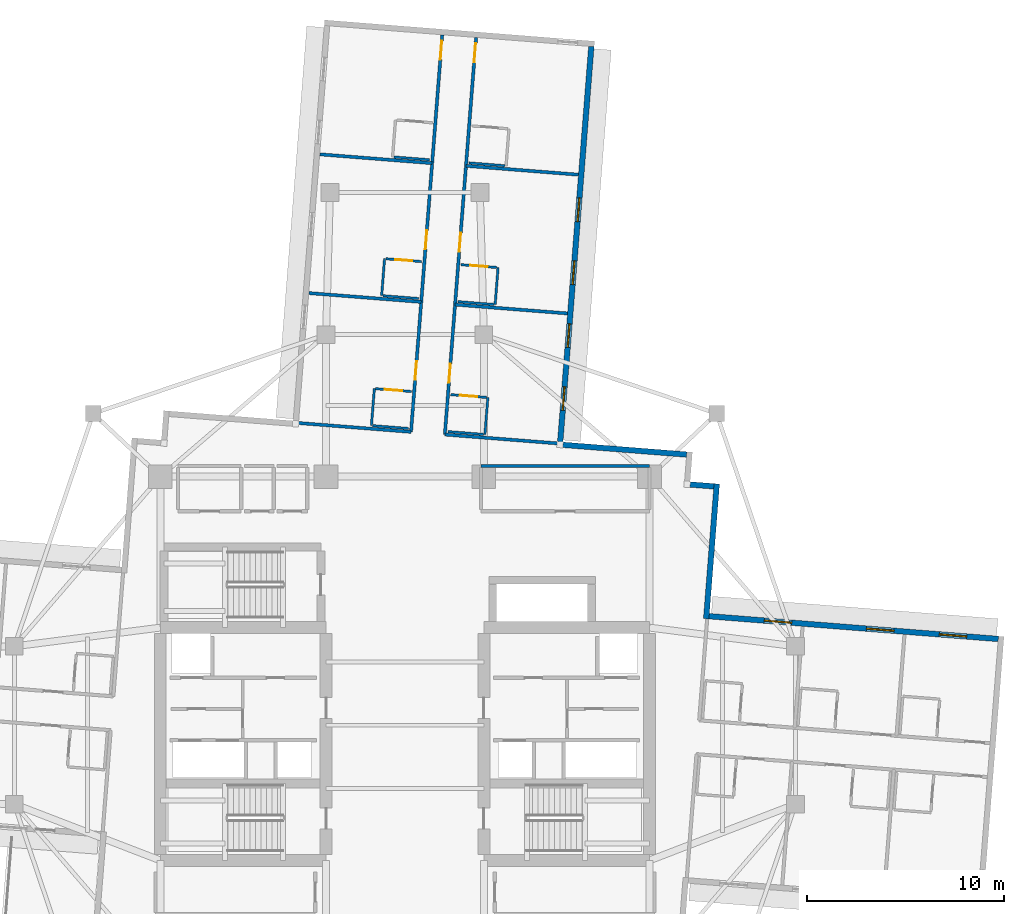
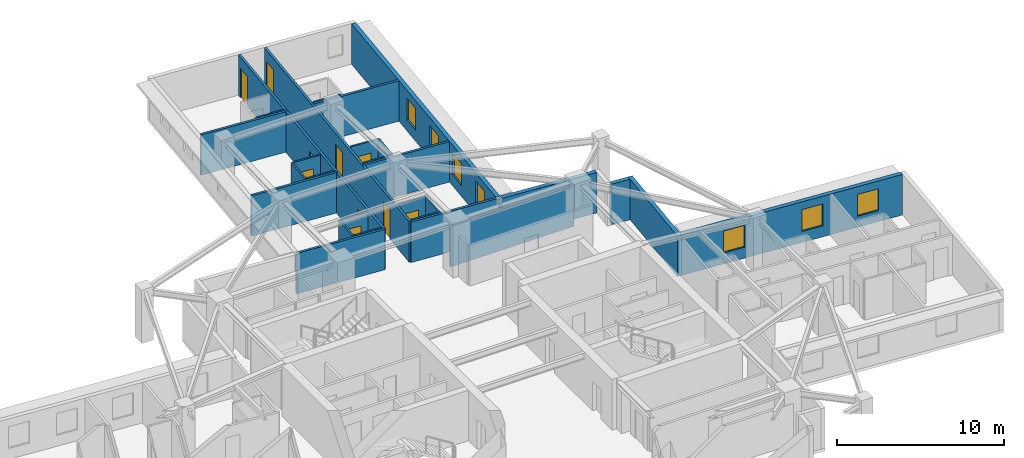
# One storey, part 8 of 14: 28 walls, 10 doors, 7 windows, 17 openings.
"""IFC4 building model written with IfcOpenShell, lengths in metres."""

from ifc_helpers import new_model, si_unit, direction, frame, frame_2d, origin, place, context, subcontext, project, spatial, rectangle, extrude, material, layer, layer_set, type_object, element, fill, save


model = new_model("IFC4")

# Units and contexts
model_context = context("Model", 3, precision=1e-05, world=origin(), true_north=direction((0.0, 1.0)))
body_context = subcontext(model_context, "Body", "Model", "MODEL_VIEW")
ifc_project = project(units=[si_unit("LENGTHUNIT", "METRE"), si_unit("AREAUNIT", "SQUARE_METRE"), si_unit("VOLUMEUNIT", "CUBIC_METRE"), si_unit("PLANEANGLEUNIT", "RADIAN"), si_unit("MASSUNIT", "GRAM", prefix="KILO")], contexts=[model_context])

# Site, building, storey
site_placement = place(None, origin())
site = spatial("IfcSite", under=ifc_project, at=site_placement, CompositionType="ELEMENT")
building_placement = place(site_placement, origin())
building = spatial("IfcBuilding", under=site, at=building_placement, Name="Qingluan Cross Belvedere", CompositionType="ELEMENT")
storey_placement = place(building_placement, frame((0.0, 0.0, 164.39990234375)))
storey = spatial("IfcBuildingStorey", under=building, at=storey_placement, Name="L41", CompositionType="ELEMENT", Elevation=164.39990234375)

# Wall
ifc_material_1 = material(Name="Gypsum plasterboard on steel stud acoustic partition", Category="steel")
ifc_layer_1 = layer(ifc_material_1, 0.159912109375, Name="CorridorPartition_160")
ifc_layer_set_1 = layer_set([ifc_layer_1], Name="Gypsum plasterboard on steel stud acoustic partition")
wall_type_1 = type_object("IfcWallType", Name="CorridorPartition_160", PredefinedType="PARTITIONING", material=ifc_layer_set_1)
wall_1_placement = place(storey_placement, frame((3.85009765625, 13.14990234375, 0.0), z_axis=(0.0, 0.0, 1.0), x_axis=(1.0, 0.0, 0.0)))
element("IfcWall", 1, at=wall_1_placement, inside=storey, type_object=wall_type_1, Name="Partition L41:q_ne:N", PredefinedType="PARTITIONING", context=body_context, shape_type="SweptSolid", body=[
    extrude(rectangle(XDim=8.5498046875, YDim=0.159912109375, at=frame_2d((4.27490234375, 0.0))), origin(), (0.0, 0.0, 1.0), 2.960205078125),
])

# Wall, openings, doors
wall_2_placement = place(storey_placement, frame((2.0224609375, 14.73681640625, 0.0), z_axis=(0.0, 0.0, 1.0), x_axis=(0.078461408156, 0.996917151738, 0.0)))
wall_2 = element("IfcWall", 2, at=wall_2_placement, inside=storey, type_object=wall_type_1, Name="Partition L41:N:c0", PredefinedType="PARTITIONING", context=body_context, shape_type="SweptSolid", body=[
    extrude(rectangle(XDim=20.181884765625, YDim=0.159912109375, at=frame_2d((10.0908203125, 0.0))), origin(), (0.0, 0.0, 1.0), 2.960205078125),
])
opening_1_placement = place(wall_2_placement, frame((2.64111328125, 0.0, 0.0)))
opening_1 = element("IfcOpeningElement", 3, at=opening_1_placement, cuts=wall_2, Name="Opening GD-10", PredefinedType="OPENING", context=body_context, shape_type="SweptSolid", body=[
    extrude(rectangle(XDim=0.9599609375, YDim=2.14990234375, at=frame_2d((0.47998046875, 1.074951171875))), frame((0.0, 0.08984375, 0.0), z_axis=(0.0, -1.0, 0.0), x_axis=(1.0, 0.0, 0.0)), (0.0, 0.0, 1.0), 0.179931640625),
])
opening_2_placement = place(wall_2_placement, frame((9.29296875, 0.0, 0.0)))
opening_2 = element("IfcOpeningElement", 4, at=opening_2_placement, cuts=wall_2, Name="Opening GD-10", PredefinedType="OPENING", context=body_context, shape_type="SweptSolid", body=[
    extrude(rectangle(XDim=0.9599609375, YDim=2.14990234375, at=frame_2d((0.47998046875, 1.074951171875))), frame((0.0, 0.08984375, 0.0), z_axis=(0.0, -1.0, 0.0), x_axis=(1.0, 0.0, 0.0)), (0.0, 0.0, 1.0), 0.179931640625),
])
opening_3_placement = place(wall_2_placement, frame((18.929931640625, 0.0, 0.0)))
opening_3 = element("IfcOpeningElement", 5, at=opening_3_placement, cuts=wall_2, Name="Opening GD-10", PredefinedType="OPENING", context=body_context, shape_type="SweptSolid", body=[
    extrude(rectangle(XDim=0.9599609375, YDim=2.14990234375, at=frame_2d((0.47998046875, 1.074951171875))), frame((0.0, 0.08984375, 0.0), z_axis=(0.0, -1.0, 0.0), x_axis=(1.0, 0.0, 0.0)), (0.0, 0.0, 1.0), 0.179931640625),
])
ifc_material_2 = material(Name="Timber oak fire-rated acoustic guestroom door", Category="wood")
door_type_1 = type_object("IfcDoorType", Name="GuestEntryDoor_FD60", OperationType="NOTDEFINED", PredefinedType="DOOR", material=ifc_material_2)
door_1_placement = place(opening_1_placement, origin())
door_1 = element("IfcDoor", 6, at=door_1_placement, inside=storey, type_object=door_type_1, Name="Guest entry fire door 4111", OperationType="SINGLE_SWING_RIGHT", OverallHeight=2.14990234375, OverallWidth=0.9599609375, PredefinedType="DOOR", context=body_context, shape_type="SweptSolid", body=[
    extrude(rectangle(XDim=0.9599609375, YDim=2.14990234375, at=frame_2d((0.47998046875, 1.074951171875))), frame((0.0, 0.02490234375, 0.0), z_axis=(0.0, -1.0, 0.0), x_axis=(1.0, 0.0, 0.0)), (0.0, 0.0, 1.0), 0.050048828125),
])
fill(opening_1, door_1)
door_2_placement = place(opening_2_placement, origin())
door_2 = element("IfcDoor", 7, at=door_2_placement, inside=storey, type_object=door_type_1, Name="Guest entry fire door 4112", OperationType="SINGLE_SWING_RIGHT", OverallHeight=2.14990234375, OverallWidth=0.9599609375, PredefinedType="DOOR", context=body_context, shape_type="SweptSolid", body=[
    extrude(rectangle(XDim=0.9599609375, YDim=2.14990234375, at=frame_2d((0.47998046875, 1.074951171875))), frame((0.0, 0.02490234375, 0.0), z_axis=(0.0, -1.0, 0.0), x_axis=(1.0, 0.0, 0.0)), (0.0, 0.0, 1.0), 0.050048828125),
])
fill(opening_2, door_2)
door_3_placement = place(opening_3_placement, origin())
door_3 = element("IfcDoor", 8, at=door_3_placement, inside=storey, type_object=door_type_1, Name="Guest entry fire door 4113", OperationType="SINGLE_SWING_RIGHT", OverallHeight=2.14990234375, OverallWidth=0.9599609375, PredefinedType="DOOR", context=body_context, shape_type="SweptSolid", body=[
    extrude(rectangle(XDim=0.9599609375, YDim=2.14990234375, at=frame_2d((0.47998046875, 1.074951171875))), frame((0.0, 0.02490234375, 0.0), z_axis=(0.0, -1.0, 0.0), x_axis=(1.0, 0.0, 0.0)), (0.0, 0.0, 1.0), 0.050048828125),
])
fill(opening_3, door_3)

# Walls
wall_3_placement = place(storey_placement, frame((2.0224609375, 14.73681640625, 0.0), z_axis=(0.0, 0.0, 1.0), x_axis=(0.996918158581, -0.078448614343, 0.0)))
element("IfcWall", 9, at=wall_3_placement, inside=storey, type_object=wall_type_1, Name="Partition L41:N:s0", PredefinedType="PARTITIONING", context=body_context, shape_type="SweptSolid", body=[
    extrude(rectangle(XDim=5.860107421875, YDim=0.159912109375, at=frame_2d((2.93017578125, 0.0))), origin(), (0.0, 0.0, 1.0), 2.960205078125),
])
wall_4_placement = place(storey_placement, frame((2.540771484375, 21.323486328125, 0.0), z_axis=(0.0, 0.0, 1.0), x_axis=(0.996916388627, -0.078471103516, 0.0)))
element("IfcWall", 10, at=wall_4_placement, inside=storey, type_object=wall_type_1, Name="Partition L41:N:d0_0", PredefinedType="PARTITIONING", context=body_context, shape_type="SweptSolid", body=[
    extrude(rectangle(XDim=5.712158203125, YDim=0.159912109375, at=frame_2d((2.85595703125, 0.0))), origin(), (0.0, 0.0, 1.0), 2.960205078125),
])
wall_5_placement = place(storey_placement, frame((3.094482421875, 28.356689453125, 0.0), z_axis=(0.0, 0.0, 1.0), x_axis=(0.996916125428, -0.078474447191, 0.0)))
element("IfcWall", 11, at=wall_5_placement, inside=storey, type_object=wall_type_1, Name="Partition L41:N:d0_1", PredefinedType="PARTITIONING", context=body_context, shape_type="SweptSolid", body=[
    extrude(rectangle(XDim=5.7119140625, YDim=0.159912109375, at=frame_2d((2.85595703125, 0.0))), origin(), (0.0, 0.0, 1.0), 2.960205078125),
])

# Wall, openings, doors
wall_6_placement = place(storey_placement, frame((0.307861328125, 14.87158203125, 0.0), z_axis=(0.0, 0.0, 1.0), x_axis=(0.0784484395, 0.996918172339, 0.0)))
wall_6 = element("IfcWall", 12, at=wall_6_placement, inside=storey, type_object=wall_type_1, Name="Partition L41:N:c1", PredefinedType="PARTITIONING", context=body_context, shape_type="SweptSolid", body=[
    extrude(rectangle(XDim=20.18212890625, YDim=0.159912109375, at=frame_2d((10.091064453125, 0.0))), origin(), (0.0, 0.0, 1.0), 2.960205078125),
])
opening_4_placement = place(wall_6_placement, frame((2.64111328125, 0.0, 0.0)))
opening_4 = element("IfcOpeningElement", 13, at=opening_4_placement, cuts=wall_6, Name="Opening GD-10", PredefinedType="OPENING", context=body_context, shape_type="SweptSolid", body=[
    extrude(rectangle(XDim=0.9599609375, YDim=2.14990234375, at=frame_2d((0.47998046875, 1.074951171875))), frame((0.0, 0.08984375, 0.0), z_axis=(0.0, -1.0, 0.0), x_axis=(1.0, 0.0, 0.0)), (0.0, 0.0, 1.0), 0.179931640625),
])
opening_5_placement = place(wall_6_placement, frame((9.29296875, 0.0, 0.0)))
opening_5 = element("IfcOpeningElement", 14, at=opening_5_placement, cuts=wall_6, Name="Opening GD-10", PredefinedType="OPENING", context=body_context, shape_type="SweptSolid", body=[
    extrude(rectangle(XDim=0.9599609375, YDim=2.14990234375, at=frame_2d((0.47998046875, 1.074951171875))), frame((0.0, 0.08984375, 0.0), z_axis=(0.0, -1.0, 0.0), x_axis=(1.0, 0.0, 0.0)), (0.0, 0.0, 1.0), 0.179931640625),
])
opening_6_placement = place(wall_6_placement, frame((18.929931640625, 0.0, 0.0)))
opening_6 = element("IfcOpeningElement", 15, at=opening_6_placement, cuts=wall_6, Name="Opening GD-10", PredefinedType="OPENING", context=body_context, shape_type="SweptSolid", body=[
    extrude(rectangle(XDim=0.9599609375, YDim=2.14990234375, at=frame_2d((0.47998046875, 1.074951171875))), frame((0.0, 0.08984375, 0.0), z_axis=(0.0, -1.0, 0.0), x_axis=(1.0, 0.0, 0.0)), (0.0, 0.0, 1.0), 0.179931640625),
])
door_4_placement = place(opening_4_placement, origin())
door_4 = element("IfcDoor", 16, at=door_4_placement, inside=storey, type_object=door_type_1, Name="Guest entry fire door 4114", OperationType="SINGLE_SWING_RIGHT", OverallHeight=2.14990234375, OverallWidth=0.9599609375, PredefinedType="DOOR", context=body_context, shape_type="SweptSolid", body=[
    extrude(rectangle(XDim=0.9599609375, YDim=2.14990234375, at=frame_2d((0.47998046875, 1.074951171875))), frame((0.0, 0.02490234375, 0.0), z_axis=(0.0, -1.0, 0.0), x_axis=(1.0, 0.0, 0.0)), (0.0, 0.0, 1.0), 0.050048828125),
])
fill(opening_4, door_4)
door_5_placement = place(opening_5_placement, origin())
door_5 = element("IfcDoor", 17, at=door_5_placement, inside=storey, type_object=door_type_1, Name="Guest entry fire door 4115", OperationType="SINGLE_SWING_RIGHT", OverallHeight=2.14990234375, OverallWidth=0.9599609375, PredefinedType="DOOR", context=body_context, shape_type="SweptSolid", body=[
    extrude(rectangle(XDim=0.9599609375, YDim=2.14990234375, at=frame_2d((0.47998046875, 1.074951171875))), frame((0.0, 0.02490234375, 0.0), z_axis=(0.0, -1.0, 0.0), x_axis=(1.0, 0.0, 0.0)), (0.0, 0.0, 1.0), 0.050048828125),
])
fill(opening_5, door_5)
door_6_placement = place(opening_6_placement, origin())
door_6 = element("IfcDoor", 18, at=door_6_placement, inside=storey, type_object=door_type_1, Name="Guest entry fire door 4116", OperationType="SINGLE_SWING_RIGHT", OverallHeight=2.14990234375, OverallWidth=0.9599609375, PredefinedType="DOOR", context=body_context, shape_type="SweptSolid", body=[
    extrude(rectangle(XDim=0.9599609375, YDim=2.14990234375, at=frame_2d((0.47998046875, 1.074951171875))), frame((0.0, 0.02490234375, 0.0), z_axis=(0.0, -1.0, 0.0), x_axis=(1.0, 0.0, 0.0)), (0.0, 0.0, 1.0), 0.050048828125),
])
fill(opening_6, door_6)

# Walls
wall_7_placement = place(storey_placement, frame((0.307861328125, 14.87158203125, 0.0), z_axis=(0.0, 0.0, 1.0), x_axis=(-0.996914899516, 0.078490019252, 0.0)))
element("IfcWall", 19, at=wall_7_placement, inside=storey, type_object=wall_type_1, Name="Partition L41:N:s1", PredefinedType="PARTITIONING", context=body_context, shape_type="SweptSolid", body=[
    extrude(rectangle(XDim=5.860107421875, YDim=0.159912109375, at=frame_2d((2.93017578125, 0.0))), origin(), (0.0, 0.0, 1.0), 2.960205078125),
])
for number, where, z_axis, x_axis, name in (
    (20, (0.826171875, 21.458251953125, 0.0), (0.0, 0.0, 1.0), (-0.996916125428, 0.078474447191, 0.0), "Partition L41:N:d1_0"),
    (21, (1.379638671875, 28.49169921875, 0.0), (0.0, 0.0, 1.0), (-0.996919468351, 0.07843196812, 0.0), "Partition L41:N:d1_1"),
):
    element("IfcWall", number, at=place(storey_placement, frame(where, z_axis=z_axis, x_axis=x_axis)), inside=storey, type_object=wall_type_1, Name=name, PredefinedType="PARTITIONING", context=body_context, shape_type="SweptSolid", body=[
        extrude(rectangle(XDim=5.7119140625, YDim=0.159912109375, at=frame_2d((2.85595703125, 0.0))), origin(), (0.0, 0.0, 1.0), 2.960205078125),
    ])

# Wall, opening, door
ifc_material_3 = material(Name="Moisture-resistant gypsum board lining")
ifc_layer_2 = layer(ifc_material_3, 0.1201171875, Name="EnsuiteWetPartition_120")
ifc_layer_set_2 = layer_set([ifc_layer_2], Name="Moisture-resistant gypsum board lining")
wall_type_2 = type_object("IfcWallType", Name="EnsuiteWetPartition_120", PredefinedType="PARTITIONING", material=ifc_layer_set_2)
wall_8_placement = place(storey_placement, frame((2.322021484375, 16.759521484375, 0.0), z_axis=(0.0, 0.0, 1.0), x_axis=(0.996916400774, -0.0784709492, 0.0)))
wall_8 = element("IfcWall", 22, at=wall_8_placement, inside=storey, type_object=wall_type_2, Name="Partition L41:N:bs0_0", PredefinedType="PARTITIONING", context=body_context, shape_type="SweptSolid", body=[
    extrude(rectangle(XDim=1.820068359375, YDim=0.1201171875, at=frame_2d((0.91015625, 0.0))), origin(), (0.0, 0.0, 1.0), 2.960205078125),
])
opening_7_placement = place(wall_8_placement, frame((0.469970703125, 0.0, 0.0)))
opening_7 = element("IfcOpeningElement", 23, at=opening_7_placement, cuts=wall_8, Name="Opening BD-09", PredefinedType="OPENING", context=body_context, shape_type="SweptSolid", body=[
    extrude(rectangle(XDim=0.8798828125, YDim=2.10009765625, at=frame_2d((0.43994140625, 1.050048828125))), frame((0.0, 0.070068359375, 0.0), z_axis=(0.0, -1.0, 0.0), x_axis=(1.0, 0.0, 0.0)), (0.0, 0.0, 1.0), 0.14013671875),
])
ifc_material_4 = material(Name="Moisture-sealed timber en-suite door", Category="wood")
door_type_2 = type_object("IfcDoorType", Name="BathroomDoor_880", OperationType="NOTDEFINED", PredefinedType="DOOR", material=ifc_material_4)
door_7_placement = place(opening_7_placement, origin())
door_7 = element("IfcDoor", 24, at=door_7_placement, inside=storey, type_object=door_type_2, Name="Bathroom door 4111", OperationType="SINGLE_SWING_LEFT", OverallHeight=2.10009765625, OverallWidth=0.8798828125, PredefinedType="DOOR", context=body_context, shape_type="SweptSolid", body=[
    extrude(rectangle(XDim=0.8798828125, YDim=2.10009765625, at=frame_2d((0.43994140625, 1.050048828125))), frame((0.0, 0.02490234375, 0.0), z_axis=(0.0, -1.0, 0.0), x_axis=(1.0, 0.0, 0.0)), (0.0, 0.0, 1.0), 0.050048828125),
])
fill(opening_7, door_7)

# Walls
wall_9_placement = place(storey_placement, frame((2.174560546875, 14.88525390625, 0.0), z_axis=(0.0, 0.0, 1.0), x_axis=(0.996916400774, -0.0784709492, 0.0)))
element("IfcWall", 25, at=wall_9_placement, inside=storey, type_object=wall_type_2, Name="Partition L41:N:bw0_0", PredefinedType="PARTITIONING", context=body_context, shape_type="SweptSolid", body=[
    extrude(rectangle(XDim=1.820068359375, YDim=0.1201171875, at=frame_2d((0.91015625, 0.0))), origin(), (0.0, 0.0, 1.0), 2.960205078125),
])
wall_10_placement = place(storey_placement, frame((4.0537109375, 14.7373046875, 0.0), z_axis=(0.0, 0.0, 1.0), x_axis=(0.078563244057, 0.996909131608, 0.0)))
element("IfcWall", 26, at=wall_10_placement, inside=storey, type_object=wall_type_2, Name="Partition L41:N:bn0_0", PredefinedType="PARTITIONING", context=body_context, shape_type="SweptSolid", body=[
    extrude(rectangle(XDim=1.880126953125, YDim=0.1201171875, at=frame_2d((0.93994140625, 0.0))), origin(), (0.0, 0.0, 1.0), 2.960205078125),
])

# Wall, opening, door
wall_11_placement = place(storey_placement, frame((2.840576171875, 23.34619140625, 0.0), z_axis=(0.0, 0.0, 1.0), x_axis=(0.996915574626, -0.078481444107, 0.0)))
wall_11 = element("IfcWall", 27, at=wall_11_placement, inside=storey, type_object=wall_type_2, Name="Partition L41:N:bs0_1", PredefinedType="PARTITIONING", context=body_context, shape_type="SweptSolid", body=[
    extrude(rectangle(XDim=1.81982421875, YDim=0.1201171875, at=frame_2d((0.909912109375, 0.0))), origin(), (0.0, 0.0, 1.0), 2.960205078125),
])
opening_8_placement = place(wall_11_placement, frame((0.469970703125, 0.0, 0.0)))
opening_8 = element("IfcOpeningElement", 28, at=opening_8_placement, cuts=wall_11, Name="Opening BD-09", PredefinedType="OPENING", context=body_context, shape_type="SweptSolid", body=[
    extrude(rectangle(XDim=0.8798828125, YDim=2.10009765625, at=frame_2d((0.43994140625, 1.050048828125))), frame((0.0, 0.070068359375, 0.0), z_axis=(0.0, -1.0, 0.0), x_axis=(1.0, 0.0, 0.0)), (0.0, 0.0, 1.0), 0.14013671875),
])
door_8_placement = place(opening_8_placement, origin())
door_8 = element("IfcDoor", 29, at=door_8_placement, inside=storey, type_object=door_type_2, Name="Bathroom door 4112", OperationType="SINGLE_SWING_LEFT", OverallHeight=2.10009765625, OverallWidth=0.8798828125, PredefinedType="DOOR", context=body_context, shape_type="SweptSolid", body=[
    extrude(rectangle(XDim=0.8798828125, YDim=2.10009765625, at=frame_2d((0.43994140625, 1.050048828125))), frame((0.0, 0.02490234375, 0.0), z_axis=(0.0, -1.0, 0.0), x_axis=(1.0, 0.0, 0.0)), (0.0, 0.0, 1.0), 0.050048828125),
])
fill(opening_8, door_8)

# Walls
wall_12_placement = place(storey_placement, frame((2.693115234375, 21.471923828125, 0.0), z_axis=(0.0, 0.0, 1.0), x_axis=(0.996915574626, -0.078481444107, 0.0)))
element("IfcWall", 30, at=wall_12_placement, inside=storey, type_object=wall_type_2, Name="Partition L41:N:bw0_1", PredefinedType="PARTITIONING", context=body_context, shape_type="SweptSolid", body=[
    extrude(rectangle(XDim=1.81982421875, YDim=0.1201171875, at=frame_2d((0.909912109375, 0.0))), origin(), (0.0, 0.0, 1.0), 2.960205078125),
])
wall_13_placement = place(storey_placement, frame((4.572265625, 21.323974609375, 0.0), z_axis=(0.0, 0.0, 1.0), x_axis=(0.07843418698, 0.996919293781, 0.0)))
element("IfcWall", 31, at=wall_13_placement, inside=storey, type_object=wall_type_2, Name="Partition L41:N:bn0_1", PredefinedType="PARTITIONING", context=body_context, shape_type="SweptSolid", body=[
    extrude(rectangle(XDim=1.880126953125, YDim=0.1201171875, at=frame_2d((0.93994140625, 0.0))), origin(), (0.0, 0.0, 1.0), 2.960205078125),
])
wall_14_placement = place(storey_placement, frame((3.24658203125, 28.505126953125, 0.0), z_axis=(0.0, 0.0, 1.0), x_axis=(0.996915574626, -0.078481444107, 0.0)))
element("IfcWall", 32, at=wall_14_placement, inside=storey, type_object=wall_type_2, Name="Partition L41:N:bw0_2", PredefinedType="PARTITIONING", context=body_context, shape_type="SweptSolid", body=[
    extrude(rectangle(XDim=1.81982421875, YDim=0.1201171875, at=frame_2d((0.909912109375, 0.0))), origin(), (0.0, 0.0, 1.0), 2.960205078125),
])

# Wall, opening, door
wall_15_placement = place(storey_placement, frame((-1.486083984375, 17.05908203125, 0.0), z_axis=(0.0, 0.0, 1.0), x_axis=(0.996926885478, -0.078337634704, 0.0)))
wall_15 = element("IfcWall", 33, at=wall_15_placement, inside=storey, type_object=wall_type_2, Name="Partition L41:N:bs1_0", PredefinedType="PARTITIONING", context=body_context, shape_type="SweptSolid", body=[
    extrude(rectangle(XDim=1.820068359375, YDim=0.1201171875, at=frame_2d((0.91015625, 0.0))), origin(), (0.0, 0.0, 1.0), 2.960205078125),
])
opening_9_placement = place(wall_15_placement, frame((0.469970703125, 0.0, 0.0)))
opening_9 = element("IfcOpeningElement", 34, at=opening_9_placement, cuts=wall_15, Name="Opening BD-09", PredefinedType="OPENING", context=body_context, shape_type="SweptSolid", body=[
    extrude(rectangle(XDim=0.8798828125, YDim=2.10009765625, at=frame_2d((0.43994140625, 1.050048828125))), frame((0.0, 0.070068359375, 0.0), z_axis=(0.0, -1.0, 0.0), x_axis=(1.0, 0.0, 0.0)), (0.0, 0.0, 1.0), 0.14013671875),
])
door_9_placement = place(opening_9_placement, origin())
door_9 = element("IfcDoor", 35, at=door_9_placement, inside=storey, type_object=door_type_2, Name="Bathroom door 4114", OperationType="SINGLE_SWING_LEFT", OverallHeight=2.10009765625, OverallWidth=0.8798828125, PredefinedType="DOOR", context=body_context, shape_type="SweptSolid", body=[
    extrude(rectangle(XDim=0.8798828125, YDim=2.10009765625, at=frame_2d((0.43994140625, 1.050048828125))), frame((0.0, 0.02490234375, 0.0), z_axis=(0.0, -1.0, 0.0), x_axis=(1.0, 0.0, 0.0)), (0.0, 0.0, 1.0), 0.050048828125),
])
fill(opening_9, door_9)

# Walls
wall_16_placement = place(storey_placement, frame((-1.633544921875, 15.18505859375, 0.0), z_axis=(0.0, 0.0, 1.0), x_axis=(0.996916400774, -0.0784709492, 0.0)))
element("IfcWall", 36, at=wall_16_placement, inside=storey, type_object=wall_type_2, Name="Partition L41:N:bw1_0", PredefinedType="PARTITIONING", context=body_context, shape_type="SweptSolid", body=[
    extrude(rectangle(XDim=1.820068359375, YDim=0.1201171875, at=frame_2d((0.91015625, 0.0))), origin(), (0.0, 0.0, 1.0), 2.960205078125),
])
wall_17_placement = place(storey_placement, frame((-1.698486328125, 15.190185546875, 0.0), z_axis=(0.0, 0.0, 1.0), x_axis=(0.078573415792, 0.996908329954, 0.0)))
element("IfcWall", 37, at=wall_17_placement, inside=storey, type_object=wall_type_2, Name="Partition L41:N:bc1_0", PredefinedType="PARTITIONING", context=body_context, shape_type="SweptSolid", body=[
    extrude(rectangle(XDim=1.8798828125, YDim=0.1201171875, at=frame_2d((0.93994140625, 0.0))), origin(), (0.0, 0.0, 1.0), 2.960205078125),
])

# Wall, opening, door
wall_18_placement = place(storey_placement, frame((-0.9677734375, 23.645751953125, 0.0), z_axis=(0.0, 0.0, 1.0), x_axis=(0.996916400774, -0.0784709492, 0.0)))
wall_18 = element("IfcWall", 38, at=wall_18_placement, inside=storey, type_object=wall_type_2, Name="Partition L41:N:bs1_1", PredefinedType="PARTITIONING", context=body_context, shape_type="SweptSolid", body=[
    extrude(rectangle(XDim=1.820068359375, YDim=0.1201171875, at=frame_2d((0.91015625, 0.0))), origin(), (0.0, 0.0, 1.0), 2.960205078125),
])
opening_10_placement = place(wall_18_placement, frame((0.469970703125, 0.0, 0.0)))
opening_10 = element("IfcOpeningElement", 39, at=opening_10_placement, cuts=wall_18, Name="Opening BD-09", PredefinedType="OPENING", context=body_context, shape_type="SweptSolid", body=[
    extrude(rectangle(XDim=0.8798828125, YDim=2.10009765625, at=frame_2d((0.43994140625, 1.050048828125))), frame((0.0, 0.070068359375, 0.0), z_axis=(0.0, -1.0, 0.0), x_axis=(1.0, 0.0, 0.0)), (0.0, 0.0, 1.0), 0.14013671875),
])
door_10_placement = place(opening_10_placement, origin())
door_10 = element("IfcDoor", 40, at=door_10_placement, inside=storey, type_object=door_type_2, Name="Bathroom door 4115", OperationType="SINGLE_SWING_LEFT", OverallHeight=2.10009765625, OverallWidth=0.8798828125, PredefinedType="DOOR", context=body_context, shape_type="SweptSolid", body=[
    extrude(rectangle(XDim=0.8798828125, YDim=2.10009765625, at=frame_2d((0.43994140625, 1.050048828125))), frame((0.0, 0.02490234375, 0.0), z_axis=(0.0, -1.0, 0.0), x_axis=(1.0, 0.0, 0.0)), (0.0, 0.0, 1.0), 0.050048828125),
])
fill(opening_10, door_10)

# Walls
wall_19_placement = place(storey_placement, frame((-1.115234375, 21.771484375, 0.0), z_axis=(0.0, 0.0, 1.0), x_axis=(0.996926885478, -0.078337634704, 0.0)))
element("IfcWall", 41, at=wall_19_placement, inside=storey, type_object=wall_type_2, Name="Partition L41:N:bw1_1", PredefinedType="PARTITIONING", context=body_context, shape_type="SweptSolid", body=[
    extrude(rectangle(XDim=1.820068359375, YDim=0.1201171875, at=frame_2d((0.91015625, 0.0))), origin(), (0.0, 0.0, 1.0), 2.960205078125),
])
wall_20_placement = place(storey_placement, frame((-1.18017578125, 21.776611328125, 0.0), z_axis=(0.0, 0.0, 1.0), x_axis=(0.07843418698, 0.996919293781, 0.0)))
element("IfcWall", 42, at=wall_20_placement, inside=storey, type_object=wall_type_2, Name="Partition L41:N:bc1_1", PredefinedType="PARTITIONING", context=body_context, shape_type="SweptSolid", body=[
    extrude(rectangle(XDim=1.880126953125, YDim=0.1201171875, at=frame_2d((0.93994140625, 0.0))), origin(), (0.0, 0.0, 1.0), 2.960205078125),
])
wall_21_placement = place(storey_placement, frame((-0.561767578125, 28.804931640625, 0.0), z_axis=(0.0, 0.0, 1.0), x_axis=(0.996916400774, -0.0784709492, 0.0)))
element("IfcWall", 43, at=wall_21_placement, inside=storey, type_object=wall_type_2, Name="Partition L41:N:bw1_2", PredefinedType="PARTITIONING", context=body_context, shape_type="SweptSolid", body=[
    extrude(rectangle(XDim=1.820068359375, YDim=0.1201171875, at=frame_2d((0.91015625, 0.0))), origin(), (0.0, 0.0, 1.0), 2.960205078125),
])

# Wall, openings, windows
ifc_material_5 = material(Name="Precast concrete C45", Category="concrete")
ifc_layer_3 = layer(ifc_material_5, 0.280029296875, Name="PrecastFacadeWall_280")
ifc_layer_set_3 = layer_set([ifc_layer_3], Name="Precast concrete C45")
wall_type_3 = type_object("IfcWallType", Name="PrecastFacadeWall_280", PredefinedType="STANDARD", material=ifc_layer_set_3)
wall_22_placement = place(storey_placement, frame((30.075927734375, 4.373779296875, 0.0), z_axis=(0.0, 0.0, 1.0), x_axis=(-0.996917526837, 0.078456642068, 0.0)))
wall_22 = element("IfcWall", 44, at=wall_22_placement, inside=storey, type_object=wall_type_3, Name="Facade wall L41-EB", PredefinedType="STANDARD", context=body_context, shape_type="SweptSolid", body=[
    extrude(rectangle(XDim=14.7001953125, YDim=0.280029296875, at=frame_2d((7.35009765625, 0.0))), origin(), (0.0, 0.0, 1.0), 2.97021484375),
])
opening_11_placement = place(wall_22_placement, frame((1.60009765625, 0.0, 0.800048828125)))
opening_11 = element("IfcOpeningElement", 45, at=opening_11_placement, cuts=wall_22, Name="Opening W-01", PredefinedType="OPENING", context=body_context, shape_type="SweptSolid", body=[
    extrude(rectangle(XDim=1.39990234375, YDim=1.60009765625, at=frame_2d((0.699951171875, 0.800048828125))), frame((0.0, 0.14990234375, 0.0), z_axis=(0.0, -1.0, 0.0), x_axis=(1.0, 0.0, 0.0)), (0.0, 0.0, 1.0), 0.300048828125),
])
opening_12_placement = place(wall_22_placement, frame((5.300048828125, 0.0, 0.800048828125)))
opening_12 = element("IfcOpeningElement", 46, at=opening_12_placement, cuts=wall_22, Name="Opening W-01", PredefinedType="OPENING", context=body_context, shape_type="SweptSolid", body=[
    extrude(rectangle(XDim=1.39990234375, YDim=1.60009765625, at=frame_2d((0.699951171875, 0.800048828125))), frame((0.0, 0.14990234375, 0.0), z_axis=(0.0, -1.0, 0.0), x_axis=(1.0, 0.0, 0.0)), (0.0, 0.0, 1.0), 0.300048828125),
])
opening_13_placement = place(wall_22_placement, frame((10.5, 0.0, 0.800048828125)))
opening_13 = element("IfcOpeningElement", 47, at=opening_13_placement, cuts=wall_22, Name="Opening W-01", PredefinedType="OPENING", context=body_context, shape_type="SweptSolid", body=[
    extrude(rectangle(XDim=1.39990234375, YDim=1.60009765625, at=frame_2d((0.699951171875, 0.800048828125))), frame((0.0, 0.14990234375, 0.0), z_axis=(0.0, -1.0, 0.0), x_axis=(1.0, 0.0, 0.0)), (0.0, 0.0, 1.0), 0.300048828125),
])
ifc_material_6 = material(Name="Thermally broken triple Low-E glass in aluminium frame", Category="aluminium")
window_type_1 = type_object("IfcWindowType", Name="TriRibbonWin_1400x1600", PartitioningType="SINGLE_PANEL", PredefinedType="WINDOW", material=ifc_material_6)
window_1_placement = place(opening_11_placement, origin())
window_1 = element("IfcWindow", 48, at=window_1_placement, inside=storey, type_object=window_type_1, Name="Ribbon window L41-EB-1", OverallHeight=1.60009765625, OverallWidth=1.39990234375, PartitioningType="SINGLE_PANEL", PredefinedType="WINDOW", context=body_context, shape_type="SweptSolid", body=[
    extrude(rectangle(XDim=1.39990234375, YDim=1.60009765625, at=frame_2d((0.699951171875, 0.800048828125))), frame((0.0, 0.030029296875, 0.0), z_axis=(0.0, -1.0, 0.0), x_axis=(1.0, 0.0, 0.0)), (0.0, 0.0, 1.0), 0.06005859375),
])
fill(opening_11, window_1)
window_2_placement = place(opening_12_placement, origin())
window_2 = element("IfcWindow", 49, at=window_2_placement, inside=storey, type_object=window_type_1, Name="Ribbon window L41-EB-2", OverallHeight=1.60009765625, OverallWidth=1.39990234375, PartitioningType="SINGLE_PANEL", PredefinedType="WINDOW", context=body_context, shape_type="SweptSolid", body=[
    extrude(rectangle(XDim=1.39990234375, YDim=1.60009765625, at=frame_2d((0.699951171875, 0.800048828125))), frame((0.0, 0.030029296875, 0.0), z_axis=(0.0, -1.0, 0.0), x_axis=(1.0, 0.0, 0.0)), (0.0, 0.0, 1.0), 0.06005859375),
])
fill(opening_12, window_2)
window_3_placement = place(opening_13_placement, origin())
window_3 = element("IfcWindow", 50, at=window_3_placement, inside=storey, type_object=window_type_1, Name="Ribbon window L41-EB-3", OverallHeight=1.60009765625, OverallWidth=1.39990234375, PartitioningType="SINGLE_PANEL", PredefinedType="WINDOW", context=body_context, shape_type="SweptSolid", body=[
    extrude(rectangle(XDim=1.39990234375, YDim=1.60009765625, at=frame_2d((0.699951171875, 0.800048828125))), frame((0.0, 0.030029296875, 0.0), z_axis=(0.0, -1.0, 0.0), x_axis=(1.0, 0.0, 0.0)), (0.0, 0.0, 1.0), 0.06005859375),
])
fill(opening_13, window_3)

wall_23_placement = place(storey_placement, frame((7.87158203125, 14.36669921875, 0.0), z_axis=(0.0, 0.0, 1.0), x_axis=(0.078452802979, 0.996917828963, 0.0)))
wall_23 = element("IfcWall", 51, at=wall_23_placement, inside=storey, type_object=wall_type_3, Name="Facade wall L41-NA", PredefinedType="STANDARD", context=body_context, shape_type="SweptSolid", body=[
    extrude(rectangle(XDim=20.10009765625, YDim=0.280029296875, at=frame_2d((10.050048828125, 0.0))), origin(), (0.0, 0.0, 1.0), 2.97021484375),
])
opening_14_placement = place(wall_23_placement, frame((1.60009765625, 0.0, 0.800048828125)))
opening_14 = element("IfcOpeningElement", 52, at=opening_14_placement, cuts=wall_23, Name="Opening W-02", PredefinedType="OPENING", context=body_context, shape_type="SweptSolid", body=[
    extrude(rectangle(XDim=1.199951171875, YDim=1.60009765625, at=frame_2d((0.60009765625, 0.800048828125))), frame((0.0, 0.14990234375, 0.0), z_axis=(0.0, -1.0, 0.0), x_axis=(1.0, 0.0, 0.0)), (0.0, 0.0, 1.0), 0.300048828125),
])
opening_15_placement = place(wall_23_placement, frame((4.800048828125, 0.0, 0.800048828125)))
opening_15 = element("IfcOpeningElement", 53, at=opening_15_placement, cuts=wall_23, Name="Opening W-02", PredefinedType="OPENING", context=body_context, shape_type="SweptSolid", body=[
    extrude(rectangle(XDim=1.199951171875, YDim=1.60009765625, at=frame_2d((0.60009765625, 0.800048828125))), frame((0.0, 0.14990234375, 0.0), z_axis=(0.0, -1.0, 0.0), x_axis=(1.0, 0.0, 0.0)), (0.0, 0.0, 1.0), 0.300048828125),
])
opening_16_placement = place(wall_23_placement, frame((8.0, 0.0, 0.800048828125)))
opening_16 = element("IfcOpeningElement", 54, at=opening_16_placement, cuts=wall_23, Name="Opening W-02", PredefinedType="OPENING", context=body_context, shape_type="SweptSolid", body=[
    extrude(rectangle(XDim=1.199951171875, YDim=1.60009765625, at=frame_2d((0.60009765625, 0.800048828125))), frame((0.0, 0.14990234375, 0.0), z_axis=(0.0, -1.0, 0.0), x_axis=(1.0, 0.0, 0.0)), (0.0, 0.0, 1.0), 0.300048828125),
])
opening_17_placement = place(wall_23_placement, frame((11.199951171875, 0.0, 0.800048828125)))
opening_17 = element("IfcOpeningElement", 55, at=opening_17_placement, cuts=wall_23, Name="Opening W-02", PredefinedType="OPENING", context=body_context, shape_type="SweptSolid", body=[
    extrude(rectangle(XDim=1.199951171875, YDim=1.60009765625, at=frame_2d((0.60009765625, 0.800048828125))), frame((0.0, 0.14990234375, 0.0), z_axis=(0.0, -1.0, 0.0), x_axis=(1.0, 0.0, 0.0)), (0.0, 0.0, 1.0), 0.300048828125),
])
ifc_material_7 = material(Name="Thermally broken triple Low-E glass in aluminium frame", Category="aluminium")
window_type_2 = type_object("IfcWindowType", Name="TriRibbonWin_1200x1600", PartitioningType="SINGLE_PANEL", PredefinedType="WINDOW", material=ifc_material_7)
window_4_placement = place(opening_14_placement, origin())
window_4 = element("IfcWindow", 56, at=window_4_placement, inside=storey, type_object=window_type_2, Name="Ribbon window L41-NA-1", OverallHeight=1.60009765625, OverallWidth=1.199951171875, PartitioningType="SINGLE_PANEL", PredefinedType="WINDOW", context=body_context, shape_type="SweptSolid", body=[
    extrude(rectangle(XDim=1.199951171875, YDim=1.60009765625, at=frame_2d((0.60009765625, 0.800048828125))), frame((0.0, 0.030029296875, 0.0), z_axis=(0.0, -1.0, 0.0), x_axis=(1.0, 0.0, 0.0)), (0.0, 0.0, 1.0), 0.06005859375),
])
fill(opening_14, window_4)
window_5_placement = place(opening_15_placement, origin())
window_5 = element("IfcWindow", 57, at=window_5_placement, inside=storey, type_object=window_type_2, Name="Ribbon window L41-NA-2", OverallHeight=1.60009765625, OverallWidth=1.199951171875, PartitioningType="SINGLE_PANEL", PredefinedType="WINDOW", context=body_context, shape_type="SweptSolid", body=[
    extrude(rectangle(XDim=1.199951171875, YDim=1.60009765625, at=frame_2d((0.60009765625, 0.800048828125))), frame((0.0, 0.030029296875, 0.0), z_axis=(0.0, -1.0, 0.0), x_axis=(1.0, 0.0, 0.0)), (0.0, 0.0, 1.0), 0.06005859375),
])
fill(opening_15, window_5)
window_6_placement = place(opening_16_placement, origin())
window_6 = element("IfcWindow", 58, at=window_6_placement, inside=storey, type_object=window_type_2, Name="Ribbon window L41-NA-3", OverallHeight=1.60009765625, OverallWidth=1.199951171875, PartitioningType="SINGLE_PANEL", PredefinedType="WINDOW", context=body_context, shape_type="SweptSolid", body=[
    extrude(rectangle(XDim=1.199951171875, YDim=1.60009765625, at=frame_2d((0.60009765625, 0.800048828125))), frame((0.0, 0.030029296875, 0.0), z_axis=(0.0, -1.0, 0.0), x_axis=(1.0, 0.0, 0.0)), (0.0, 0.0, 1.0), 0.06005859375),
])
fill(opening_16, window_6)
window_7_placement = place(opening_17_placement, origin())
window_7 = element("IfcWindow", 59, at=window_7_placement, inside=storey, type_object=window_type_2, Name="Ribbon window L41-NA-4", OverallHeight=1.60009765625, OverallWidth=1.199951171875, PartitioningType="SINGLE_PANEL", PredefinedType="WINDOW", context=body_context, shape_type="SweptSolid", body=[
    extrude(rectangle(XDim=1.199951171875, YDim=1.60009765625, at=frame_2d((0.60009765625, 0.800048828125))), frame((0.0, 0.030029296875, 0.0), z_axis=(0.0, -1.0, 0.0), x_axis=(1.0, 0.0, 0.0)), (0.0, 0.0, 1.0), 0.06005859375),
])
fill(opening_17, window_7)

# Walls
wall_24_placement = place(storey_placement, frame((15.2705078125, 5.3984375, 0.0), z_axis=(0.0, 0.0, 1.0), x_axis=(0.078473519122, 0.996916198482, 0.0)))
element("IfcWall", 60, at=wall_24_placement, inside=storey, type_object=wall_type_3, Name="Corner wall L41-NE1", PredefinedType="STANDARD", context=body_context, shape_type="SweptSolid", body=[
    extrude(rectangle(XDim=6.860107421875, YDim=0.280029296875, at=frame_2d((3.43017578125, 0.0))), origin(), (0.0, 0.0, 1.0), 2.97021484375),
])
wall_25_placement = place(storey_placement, frame((15.658203125, 12.10888671875, 0.0), z_axis=(0.0, 0.0, 1.0), x_axis=(-0.996917540398, 0.078456469752, 0.0)))
element("IfcWall", 61, at=wall_25_placement, inside=storey, type_object=wall_type_3, Name="Corner wall L41-NE2", PredefinedType="STANDARD", context=body_context, shape_type="SweptSolid", body=[
    extrude(rectangle(XDim=1.2197265625, YDim=0.280029296875, at=frame_2d((0.60986328125, 0.0))), origin(), (0.0, 0.0, 1.0), 2.97021484375),
])
wall_26_placement = place(storey_placement, frame((14.280517578125, 13.721923828125, 0.0), z_axis=(0.0, 0.0, 1.0), x_axis=(-0.99691915642, 0.078435932851, 0.0)))
element("IfcWall", 62, at=wall_26_placement, inside=storey, type_object=wall_type_3, Name="Corner wall L41-NE4", PredefinedType="STANDARD", context=body_context, shape_type="SweptSolid", body=[
    extrude(rectangle(XDim=6.2998046875, YDim=0.280029296875, at=frame_2d((3.14990234375, 0.0))), origin(), (0.0, 0.0, 1.0), 2.97021484375),
])

save(model, "model.ifc")
